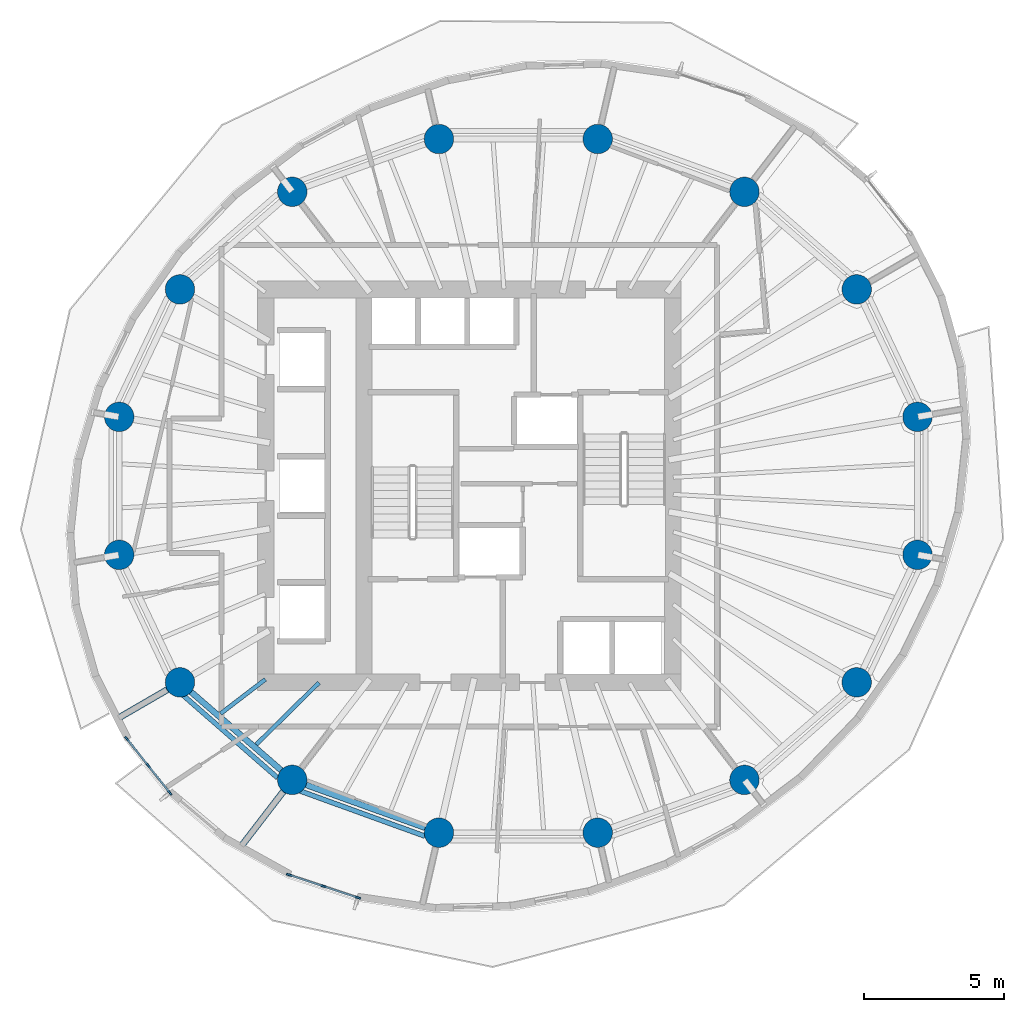
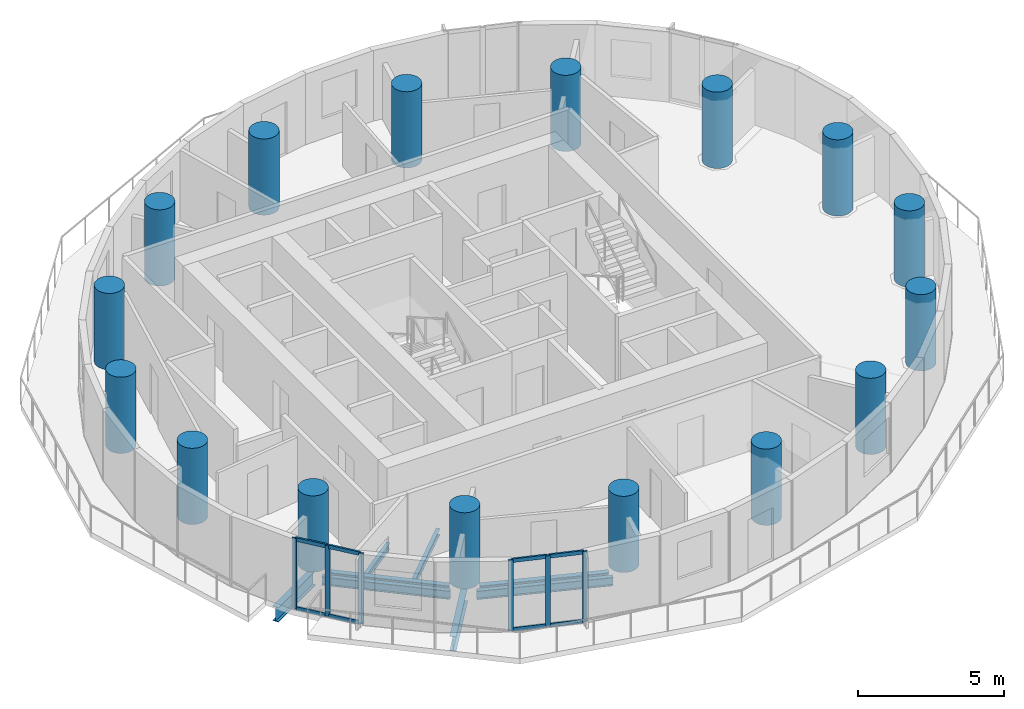
# One storey, part 1 of 12: 16 columns, 14 members, 8 beams, 2 elements without a shape of their own.
"""IFC4 building model written with IfcOpenShell, lengths in metres."""

from ifc_helpers import new_model, si_unit, direction, frame, origin, origin_2d, place, context, subcontext, project, spatial, rectangle, circle, i_section, extrude, material, material_profile, profile_set, type_object, element, aggregate, save


model = new_model("IFC4")

# Units and contexts
model_context = context("Model", 3, precision=1e-05, world=origin(), true_north=direction((0.0, 1.0)))
body_context = subcontext(model_context, "Body", "Model", "MODEL_VIEW")
ifc_project = project(units=[si_unit("LENGTHUNIT", "METRE"), si_unit("AREAUNIT", "SQUARE_METRE"), si_unit("VOLUMEUNIT", "CUBIC_METRE"), si_unit("PLANEANGLEUNIT", "RADIAN"), si_unit("MASSUNIT", "GRAM", prefix="KILO")], contexts=[model_context])

# Site, building, storey
site_placement = place(None, origin())
site = spatial("IfcSite", under=ifc_project, at=site_placement, CompositionType="ELEMENT")
building_placement = place(site_placement, origin())
building = spatial("IfcBuilding", under=site, at=building_placement, Name="Veldorim Arch Residences", CompositionType="ELEMENT")
storey_placement = place(building_placement, frame((0.0, 0.0, 139.360107421875)))
storey = spatial("IfcBuildingStorey", under=building, at=storey_placement, Name="L41", CompositionType="ELEMENT", Elevation=139.360107421875)

# Columns
ifc_material_1 = material(Name="Concrete C50/60", Category="concrete")
ifc_material_profile_1 = material_profile(ifc_material_1, circle(Radius=0.52490234375, at=origin_2d()), Name="RC_CIRC_1050")
ifc_profile_set_1 = profile_set([ifc_material_profile_1], Name="Concrete C50/60")
column_type = type_object("IfcColumnType", Name="Structural Column RC_CIRC_1050", PredefinedType="COLUMN", material=ifc_profile_set_1)
for number, where, z_axis, x_axis, name in (
    (1, (46.221435546875, 26.4580078125, 0.0), (0.0, 0.0, 1.0), (1.0, 0.0, 0.0), "L41 TC-Z3-01 perimeter column"),
    (2, (44.056396484375, 31.000244140625, 0.0), (0.0, 0.0, 1.0), (1.0, 0.0, 0.0), "L41 TC-Z3-02 perimeter column"),
    (3, (40.055908203125, 34.4765625, 0.0), (0.0, 0.0, 1.0), (1.0, 0.0, 0.0), "L41 TC-Z3-03 perimeter column"),
    (4, (34.828857421875, 36.35791015625, 0.0), (0.0, 0.0, 1.0), (1.0, 0.0, 0.0), "L41 TC-Z3-04 perimeter column"),
    (5, (29.171142578125, 36.35791015625, 0.0), (0.0, 0.0, 1.0), (1.0, 0.0, 0.0), "L41 TC-Z3-05 perimeter column"),
    (6, (23.944091796875, 34.4765625, 0.0), (0.0, 0.0, 1.0), (1.0, 0.0, 0.0), "L41 TC-Z3-06 perimeter column"),
    (7, (19.943603515625, 31.000244140625, 0.0), (0.0, 0.0, 1.0), (1.0, 0.0, 0.0), "L41 TC-Z3-07 perimeter column"),
    (8, (17.778564453125, 26.4580078125, 0.0), (0.0, 0.0, 1.0), (1.0, 0.0, 0.0), "L41 TC-Z3-08 perimeter column"),
    (9, (17.778564453125, 21.5419921875, 0.0), (0.0, 0.0, 1.0), (1.0, 0.0, 0.0), "L41 TC-Z3-09 perimeter column"),
    (10, (19.943603515625, 16.999755859375, 0.0), (0.0, 0.0, 1.0), (1.0, 0.0, 0.0), "L41 TC-Z3-10 perimeter column"),
    (11, (23.944091796875, 13.5234375, 0.0), (0.0, 0.0, 1.0), (1.0, 0.0, 0.0), "L41 TC-Z3-11 perimeter column"),
    (12, (29.171142578125, 11.64208984375, 0.0), (0.0, 0.0, 1.0), (1.0, 0.0, 0.0), "L41 TC-Z3-12 perimeter column"),
    (13, (34.828857421875, 11.64208984375, 0.0), (0.0, 0.0, 1.0), (1.0, 0.0, 0.0), "L41 TC-Z3-13 perimeter column"),
    (14, (40.055908203125, 13.5234375, 0.0), (0.0, 0.0, 1.0), (1.0, 0.0, 0.0), "L41 TC-Z3-14 perimeter column"),
    (15, (44.056396484375, 16.999755859375, 0.0), (0.0, 0.0, 1.0), (1.0, 0.0, 0.0), "L41 TC-Z3-15 perimeter column"),
    (16, (46.221435546875, 21.5419921875, 0.0), (0.0, 0.0, 1.0), (1.0, 0.0, 0.0), "L41 TC-Z3-16 perimeter column"),
):
    element("IfcColumn", number, at=place(storey_placement, frame(where, z_axis=z_axis, x_axis=x_axis)), inside=storey, type_object=column_type, Name=name, PredefinedType="COLUMN", context=body_context, shape_type="SweptSolid", body=[
        extrude(circle(Radius=0.52490234375, at=origin_2d()), origin(), (0.0, 0.0, 1.0), 3.199951171875),
    ])

# Beams
ifc_material_2 = material(Name="Steel S355", Category="steel")
ifc_material_profile_2 = material_profile(ifc_material_2, i_section(OverallWidth=0.2099609375, OverallDepth=0.53662109375, WebThickness=0.0107421875, FlangeThickness=0.017333984375, at=origin_2d()), Name="UB533x210x101")
ifc_profile_set_2 = profile_set([ifc_material_profile_2], Name="Steel S355")
beam_type_1 = type_object("IfcBeamType", Name="Structural Steel Beam UB533x210x101", PredefinedType="BEAM", material=ifc_profile_set_2)
beam_1_placement = place(storey_placement, frame((20.340087890625, 16.655517578125, -0.50830078125), z_axis=(0.754810789581, -0.655942582802, 0.0), x_axis=(0.655942582802, 0.754810789581, 0.0)))
element("IfcBeam", 17, at=beam_1_placement, inside=storey, type_object=beam_type_1, Name="L41 perimeter ring tie beam 10", PredefinedType="BEAM", context=body_context, shape_type="SweptSolid", body=[
    extrude(i_section(OverallWidth=0.2099609375, OverallDepth=0.53662109375, WebThickness=0.0107421875, FlangeThickness=0.017333984375, at=origin_2d()), origin(), (0.0, 0.0, 1.0), 4.249755859375),
])
beam_2_placement = place(storey_placement, frame((24.438232421875, 13.345703125, -0.50830078125), z_axis=(0.940899155006, -0.338686846673, 0.0), x_axis=(0.338686846673, 0.940899155006, 0.0)))
element("IfcBeam", 18, at=beam_2_placement, inside=storey, type_object=beam_type_1, Name="L41 perimeter ring tie beam 11", PredefinedType="BEAM", context=body_context, shape_type="SweptSolid", body=[
    extrude(i_section(OverallWidth=0.2099609375, OverallDepth=0.53662109375, WebThickness=0.0107421875, FlangeThickness=0.017333984375, at=origin_2d()), origin(), (0.0, 0.0, 1.0), 4.50537109375),
])
ifc_material_3 = material(Name="Steel S355", Category="steel")
ifc_material_profile_3 = material_profile(ifc_material_3, i_section(OverallWidth=0.22900390625, OverallDepth=0.6123046875, WebThickness=0.011962890625, FlangeThickness=0.01953125, at=origin_2d()), Name="UB610x229x125")
ifc_profile_set_3 = profile_set([ifc_material_profile_3], Name="Steel S355")
beam_type_2 = type_object("IfcBeamType", Name="Structural Steel Beam UB610x229x125", PredefinedType="BEAM", material=ifc_profile_set_3)
beam_3_placement = place(storey_placement, frame((19.926513671875, 16.98974609375, -0.546142578125), z_axis=(-0.864786295309, -0.502140083488, 0.0), x_axis=(0.502140083488, -0.864786295309, 0.0)))
element("IfcBeam", 19, at=beam_3_placement, inside=storey, type_object=beam_type_2, Name="L41 radial edge cantilever girder 10", PredefinedType="BEAM", context=body_context, shape_type="SweptSolid", body=[
    extrude(i_section(OverallWidth=0.22900390625, OverallDepth=0.6123046875, WebThickness=0.011962890625, FlangeThickness=0.01953125, at=origin_2d()), origin(), (0.0, 0.0, 1.0), 2.579833984375),
])
beam_4_placement = place(storey_placement, frame((23.931884765625, 13.507568359375, -0.546142578125), z_axis=(-0.609562364778, -0.792738117821, 0.0), x_axis=(0.792738117821, -0.609562364778, 0.0)))
element("IfcBeam", 20, at=beam_4_placement, inside=storey, type_object=beam_type_2, Name="L41 radial edge cantilever girder 11", PredefinedType="BEAM", context=body_context, shape_type="SweptSolid", body=[
    extrude(i_section(OverallWidth=0.22900390625, OverallDepth=0.6123046875, WebThickness=0.011962890625, FlangeThickness=0.01953125, at=origin_2d()), origin(), (0.0, 0.0, 1.0), 3.021484375),
])
ifc_material_4 = material(Name="Steel S355", Category="steel")
ifc_material_profile_4 = material_profile(ifc_material_4, i_section(OverallWidth=0.146484375, OverallDepth=0.256103515625, WebThickness=0.00634765625, FlangeThickness=0.010986328125, at=origin_2d()), Name="UB254x146x37")
ifc_profile_set_4 = profile_set([ifc_material_profile_4], Name="Steel S355")
beam_type_3 = type_object("IfcBeamType", Name="Structural Steel Joist UB254x146x37", PredefinedType="JOIST", material=ifc_profile_set_4)
beam_5_placement = place(storey_placement, frame((22.984130859375, 17.10302734375, -0.3681640625), z_axis=(-0.794312925337, -0.607508828448, 0.0), x_axis=(0.607508828448, -0.794312925337, 0.0)))
element("IfcBeam", 21, at=beam_5_placement, inside=storey, type_object=beam_type_3, Name="L41 secondary radial floor joist 10-1", PredefinedType="JOIST", context=body_context, shape_type="SweptSolid", body=[
    extrude(i_section(OverallWidth=0.146484375, OverallDepth=0.256103515625, WebThickness=0.00634765625, FlangeThickness=0.010986328125, at=origin_2d()), origin(), (0.0, 0.0, 1.0), 2.006103515625),
])
beam_6_placement = place(storey_placement, frame((24.894287109375, 16.986083984375, -0.3681640625), z_axis=(-0.711683379532, -0.702500368183, 0.0), x_axis=(0.702500368183, -0.711683379532, 0.0)))
element("IfcBeam", 22, at=beam_6_placement, inside=storey, type_object=beam_type_3, Name="L41 secondary radial floor joist 10-2", PredefinedType="JOIST", context=body_context, shape_type="SweptSolid", body=[
    extrude(i_section(OverallWidth=0.146484375, OverallDepth=0.256103515625, WebThickness=0.00634765625, FlangeThickness=0.010986328125, at=origin_2d()), origin(), (0.0, 0.0, 1.0), 3.13720703125),
])
ifc_material_5 = material(Name="Steel S355", Category="steel")
ifc_material_profile_5 = material_profile(ifc_material_5, i_section(OverallWidth=0.172119140625, OverallDepth=0.35791015625, WebThickness=0.008056640625, FlangeThickness=0.012939453125, at=origin_2d()), Name="UB356x171x57")
ifc_profile_set_5 = profile_set([ifc_material_profile_5], Name="Steel S355")
beam_type_4 = type_object("IfcBeamType", Name="Structural Steel Spandrel UB356x171x57", PredefinedType="SPANDREL", material=ifc_profile_set_5)
beam_7_placement = place(storey_placement, frame((20.0419921875, 16.55078125, -0.439208984375), z_axis=(0.753014748982, -0.658003638148, 0.0), x_axis=(0.658003638148, 0.753014748982, 0.0)))
element("IfcBeam", 23, at=beam_7_placement, inside=storey, type_object=beam_type_4, Name="L41 perimeter chord spandrel beam 10", PredefinedType="SPANDREL", context=body_context, shape_type="SweptSolid", body=[
    extrude(i_section(OverallWidth=0.172119140625, OverallDepth=0.35791015625, WebThickness=0.008056640625, FlangeThickness=0.012939453125, at=origin_2d()), origin(), (0.0, 0.0, 1.0), 4.486572265625),
])
beam_8_placement = place(storey_placement, frame((24.20263671875, 13.13720703125, -0.439208984375), z_axis=(0.940212553113, -0.340588248429, 0.0), x_axis=(0.340588248429, 0.940212553113, 0.0)))
element("IfcBeam", 24, at=beam_8_placement, inside=storey, type_object=beam_type_4, Name="L41 perimeter chord spandrel beam 11", PredefinedType="SPANDREL", context=body_context, shape_type="SweptSolid", body=[
    extrude(i_section(OverallWidth=0.172119140625, OverallDepth=0.35791015625, WebThickness=0.008056640625, FlangeThickness=0.012939453125, at=origin_2d()), origin(), (0.0, 0.0, 1.0), 4.75390625),
])

# Curtain wall, members
ifc_material_6 = material(Name="Aluminium", Category="aluminium")
curtain_wall_type = type_object("IfcCurtainWallType", Name="Zone 3 High-Wind Unitised Curtain Wall", PredefinedType="NOTDEFINED", material=ifc_material_6)
curtain_wall_1_placement = place(storey_placement, origin())
curtain_wall_1 = element("IfcCurtainWall", 25, at=curtain_wall_1_placement, inside=storey, type_object=curtain_wall_type, Name="L41 unitised curtain wall bay 19", PredefinedType="NOTDEFINED")
ifc_material_7 = material(Name="Aluminium", Category="aluminium")
ifc_material_profile_6 = material_profile(ifc_material_7, rectangle(XDim=0.070068359375, YDim=0.179931640625, at=origin_2d()), Name="ALU_MUL_70x180")
ifc_profile_set_6 = profile_set([ifc_material_profile_6], Name="Aluminium")
member_type_1 = type_object("IfcMemberType", Name="Zone 3 High-Wind Unitised Curtain Wall Mullion 70x180", PredefinedType="MULLION", material=ifc_profile_set_6)
member_1_placement = place(storey_placement, frame((19.58251953125, 13.0634765625, 0.0), z_axis=(0.0, 0.0, 1.0), x_axis=(-0.782556048079, -0.622580140716, 0.0)))
member_1 = element("IfcMember", 26, at=member_1_placement, type_object=member_type_1, Name="CW-Z3 mullion 1", PredefinedType="MULLION", context=body_context, shape_type="SweptSolid", body=[
    extrude(rectangle(XDim=0.070068359375, YDim=0.179931640625, at=origin_2d()), origin(), (0.0, 0.0, 1.0), 2.9599609375),
])
member_2_placement = place(storey_placement, frame((18.8154296875, 14.02783203125, 0.0), z_axis=(0.0, 0.0, 1.0), x_axis=(-0.782556048079, -0.622580140716, 0.0)))
member_2 = element("IfcMember", 27, at=member_2_placement, type_object=member_type_1, Name="CW-Z3 mullion 2", PredefinedType="MULLION", context=body_context, shape_type="SweptSolid", body=[
    extrude(rectangle(XDim=0.070068359375, YDim=0.179931640625, at=origin_2d()), origin(), (0.0, 0.0, 1.0), 2.9599609375),
])
member_3_placement = place(storey_placement, frame((18.04833984375, 14.991943359375, 0.0), z_axis=(0.0, 0.0, 1.0), x_axis=(-0.782556048079, -0.622580140716, 0.0)))
member_3 = element("IfcMember", 28, at=member_3_placement, type_object=member_type_1, Name="CW-Z3 mullion 3", PredefinedType="MULLION", context=body_context, shape_type="SweptSolid", body=[
    extrude(rectangle(XDim=0.070068359375, YDim=0.179931640625, at=origin_2d()), origin(), (0.0, 0.0, 1.0), 2.9599609375),
])

curtain_wall_2_placement = place(storey_placement, origin())
curtain_wall_2 = element("IfcCurtainWall", 29, at=curtain_wall_2_placement, inside=storey, type_object=curtain_wall_type, Name="L41 unitised curtain wall bay 22", PredefinedType="NOTDEFINED")
member_4_placement = place(storey_placement, frame((26.28759765625, 9.3251953125, 0.0), z_axis=(0.0, 0.0, 1.0), x_axis=(-0.315551503895, -0.948908451006, 0.0)))
member_4 = element("IfcMember", 30, at=member_4_placement, type_object=member_type_1, Name="CW-Z3 mullion 1", PredefinedType="MULLION", context=body_context, shape_type="SweptSolid", body=[
    extrude(rectangle(XDim=0.070068359375, YDim=0.179931640625, at=origin_2d()), origin(), (0.0, 0.0, 1.0), 2.9599609375),
])
member_5_placement = place(storey_placement, frame((25.0576171875, 9.734130859375, 0.0), z_axis=(0.0, 0.0, 1.0), x_axis=(-0.315551503895, -0.948908451006, 0.0)))
member_5 = element("IfcMember", 31, at=member_5_placement, type_object=member_type_1, Name="CW-Z3 mullion 2", PredefinedType="MULLION", context=body_context, shape_type="SweptSolid", body=[
    extrude(rectangle(XDim=0.070068359375, YDim=0.179931640625, at=origin_2d()), origin(), (0.0, 0.0, 1.0), 2.9599609375),
])
member_6_placement = place(storey_placement, frame((23.827880859375, 10.14306640625, 0.0), z_axis=(0.0, 0.0, 1.0), x_axis=(-0.315551503895, -0.948908451006, 0.0)))
member_6 = element("IfcMember", 32, at=member_6_placement, type_object=member_type_1, Name="CW-Z3 mullion 3", PredefinedType="MULLION", context=body_context, shape_type="SweptSolid", body=[
    extrude(rectangle(XDim=0.070068359375, YDim=0.179931640625, at=origin_2d()), origin(), (0.0, 0.0, 1.0), 2.9599609375),
])

# Member
ifc_material_8 = material(Name="Aluminium", Category="aluminium")
ifc_material_profile_7 = material_profile(ifc_material_8, rectangle(XDim=0.070068359375, YDim=0.155029296875, at=origin_2d()), Name="ALU_TRN_70x155")
ifc_profile_set_7 = profile_set([ifc_material_profile_7], Name="Aluminium")
member_type_2 = type_object("IfcMemberType", Name="Zone 3 High-Wind Unitised Curtain Wall Transom 70x155", PredefinedType="USERDEFINED", material=ifc_profile_set_7)
member_7_placement = place(storey_placement, frame((19.560791015625, 13.091064453125, 0.034912109375), z_axis=(-0.622745807407, 0.782424219562, 0.0), x_axis=(-0.782424219562, -0.622745807407, 0.0)))
member_7 = element("IfcMember", 33, at=member_7_placement, type_object=member_type_2, Name="CW-Z3 transom 1.1", ObjectType="TRANSOM", PredefinedType="USERDEFINED", context=body_context, shape_type="SweptSolid", body=[
    extrude(rectangle(XDim=0.070068359375, YDim=0.155029296875, at=origin_2d()), origin(), (0.0, 0.0, 1.0), 1.162109375),
])

member_8_placement = place(storey_placement, frame((19.560791015625, 13.091064453125, 2.9248046875), z_axis=(-0.622745807407, 0.782424219562, 0.0), x_axis=(-0.782424219562, -0.622745807407, 0.0)))
member_8 = element("IfcMember", 34, at=member_8_placement, type_object=member_type_2, Name="CW-Z3 transom 1.2", ObjectType="TRANSOM", PredefinedType="USERDEFINED", context=body_context, shape_type="SweptSolid", body=[
    extrude(rectangle(XDim=0.070068359375, YDim=0.155029296875, at=origin_2d()), origin(), (0.0, 0.0, 1.0), 1.162109375),
])

member_9_placement = place(storey_placement, frame((18.793701171875, 14.05517578125, 0.034912109375), z_axis=(-0.622643445839, 0.782505680078, 0.0), x_axis=(-0.782505680078, -0.622643445839, 0.0)))
member_9 = element("IfcMember", 35, at=member_9_placement, type_object=member_type_2, Name="CW-Z3 transom 2.1", ObjectType="TRANSOM", PredefinedType="USERDEFINED", context=body_context, shape_type="SweptSolid", body=[
    extrude(rectangle(XDim=0.070068359375, YDim=0.155029296875, at=origin_2d()), origin(), (0.0, 0.0, 1.0), 1.162109375),
])

member_10_placement = place(storey_placement, frame((18.793701171875, 14.05517578125, 2.9248046875), z_axis=(-0.622643445839, 0.782505680078, 0.0), x_axis=(-0.782505680078, -0.622643445839, 0.0)))
member_10 = element("IfcMember", 36, at=member_10_placement, type_object=member_type_2, Name="CW-Z3 transom 2.2", ObjectType="TRANSOM", PredefinedType="USERDEFINED", context=body_context, shape_type="SweptSolid", body=[
    extrude(rectangle(XDim=0.070068359375, YDim=0.155029296875, at=origin_2d()), origin(), (0.0, 0.0, 1.0), 1.162109375),
])

aggregate(curtain_wall_1, [member_1, member_2, member_3, member_7, member_8, member_9, member_10])

member_11_placement = place(storey_placement, frame((26.25439453125, 9.336181640625, 0.034912109375), z_axis=(-0.948902078568, 0.315570666079, 0.0), x_axis=(-0.315570666079, -0.948902078568, 0.0)))
member_11 = element("IfcMember", 37, at=member_11_placement, type_object=member_type_2, Name="CW-Z3 transom 1.1", ObjectType="TRANSOM", PredefinedType="USERDEFINED", context=body_context, shape_type="SweptSolid", body=[
    extrude(rectangle(XDim=0.070068359375, YDim=0.155029296875, at=origin_2d()), origin(), (0.0, 0.0, 1.0), 1.226318359375),
])

member_12_placement = place(storey_placement, frame((26.25439453125, 9.336181640625, 2.9248046875), z_axis=(-0.948902078568, 0.315570666079, 0.0), x_axis=(-0.315570666079, -0.948902078568, 0.0)))
member_12 = element("IfcMember", 38, at=member_12_placement, type_object=member_type_2, Name="CW-Z3 transom 1.2", ObjectType="TRANSOM", PredefinedType="USERDEFINED", context=body_context, shape_type="SweptSolid", body=[
    extrude(rectangle(XDim=0.070068359375, YDim=0.155029296875, at=origin_2d()), origin(), (0.0, 0.0, 1.0), 1.226318359375),
])

member_13_placement = place(storey_placement, frame((25.0244140625, 9.7451171875, 0.034912109375), z_axis=(-0.948882245783, 0.315630295817, 0.0), x_axis=(-0.315630295817, -0.948882245783, 0.0)))
member_13 = element("IfcMember", 39, at=member_13_placement, type_object=member_type_2, Name="CW-Z3 transom 2.1", ObjectType="TRANSOM", PredefinedType="USERDEFINED", context=body_context, shape_type="SweptSolid", body=[
    extrude(rectangle(XDim=0.070068359375, YDim=0.155029296875, at=origin_2d()), origin(), (0.0, 0.0, 1.0), 1.22607421875),
])

member_14_placement = place(storey_placement, frame((25.0244140625, 9.7451171875, 2.9248046875), z_axis=(-0.948882245783, 0.315630295817, 0.0), x_axis=(-0.315630295817, -0.948882245783, 0.0)))
member_14 = element("IfcMember", 40, at=member_14_placement, type_object=member_type_2, Name="CW-Z3 transom 2.2", ObjectType="TRANSOM", PredefinedType="USERDEFINED", context=body_context, shape_type="SweptSolid", body=[
    extrude(rectangle(XDim=0.070068359375, YDim=0.155029296875, at=origin_2d()), origin(), (0.0, 0.0, 1.0), 1.22607421875),
])

aggregate(curtain_wall_2, [member_4, member_5, member_6, member_11, member_12, member_13, member_14])

save(model, "model.ifc")
